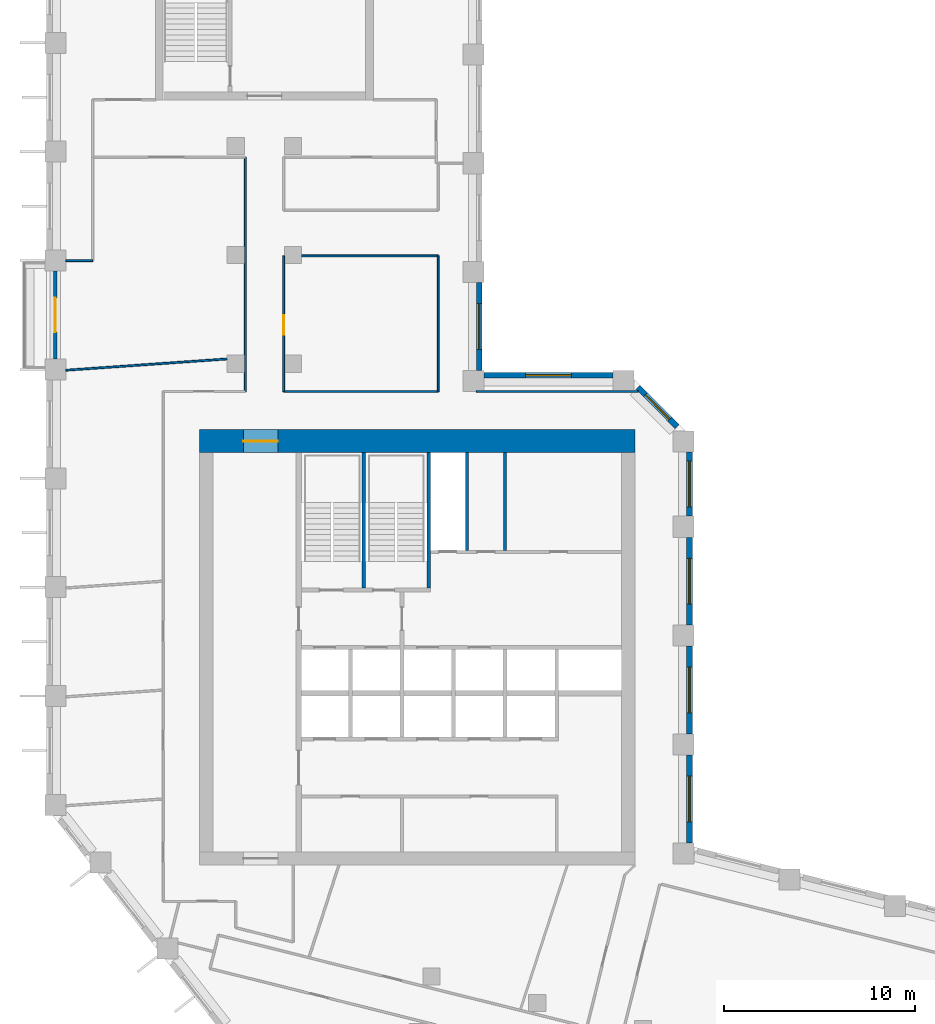
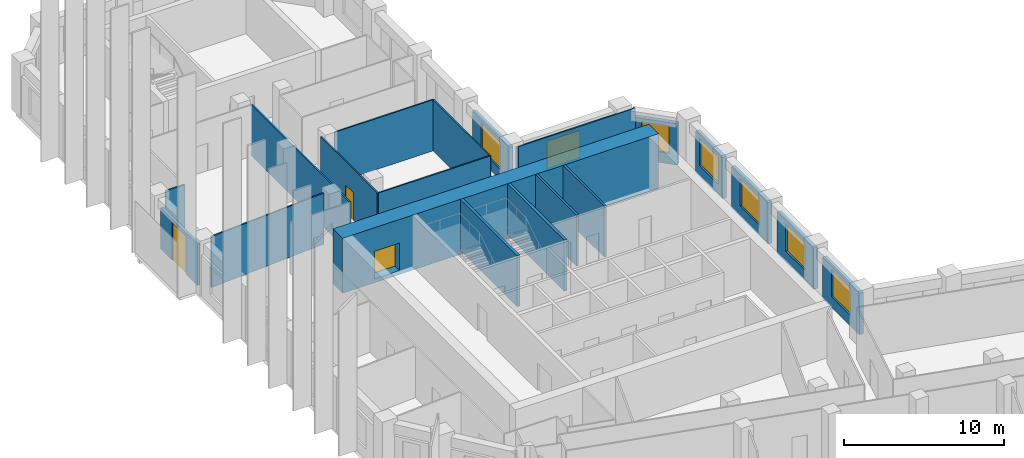
# One storey, part 6 of 10: 21 walls, 7 windows, 3 doors, 10 openings.
"""IFC4 building model written with IfcOpenShell, lengths in metres."""

from ifc_helpers import new_model, si_unit, direction, frame, frame_2d, origin, place, context, subcontext, project, spatial, rectangle, extrude, material, layer, layer_set, type_object, element, fill, save


model = new_model("IFC4")

# Units and contexts
model_context = context("Model", 3, precision=1e-05, world=origin(), true_north=direction((0.0, 1.0)))
body_context = subcontext(model_context, "Body", "Model", "MODEL_VIEW")
ifc_project = project(units=[si_unit("LENGTHUNIT", "METRE"), si_unit("AREAUNIT", "SQUARE_METRE"), si_unit("VOLUMEUNIT", "CUBIC_METRE"), si_unit("PLANEANGLEUNIT", "RADIAN"), si_unit("MASSUNIT", "GRAM", prefix="KILO")], contexts=[model_context])

# Site, building, storey
site_placement = place(None, origin())
site = spatial("IfcSite", under=ifc_project, at=site_placement, CompositionType="ELEMENT")
building_placement = place(site_placement, origin())
building = spatial("IfcBuilding", under=site, at=building_placement, Name="Meshkara Civic Tower", CompositionType="ELEMENT")
storey_placement = place(building_placement, frame((0.0, 0.0, 242.39990234375)))
storey = spatial("IfcBuildingStorey", under=building, at=storey_placement, Name="L55", CompositionType="ELEMENT", Elevation=242.39990234375)

# Walls
ifc_material_1 = material(Name="Blockwork", Category="masonry")
ifc_layer_1 = layer(ifc_material_1, 0.14990234375)
ifc_layer_set_1 = layer_set([ifc_layer_1], Name="Core partition 150")
wall_type_1 = type_object("IfcWallType", Name="Core partition 150", PredefinedType="PARTITIONING", material=ifc_layer_set_1)
for number, where, z_axis, x_axis, name in (
    (1, (22.0, 30.574951171875, 0.0), (0.0, 0.0, 1.0), (0.0, 1.0, 0.0), "L55-C018"),
    (2, (24.0, 30.574951171875, 0.0), (0.0, 0.0, 1.0), (0.0, 1.0, 0.0), "L55-C020"),
):
    element("IfcWall", number, at=place(storey_placement, frame(where, z_axis=z_axis, x_axis=x_axis)), inside=storey, type_object=wall_type_1, Name=name, PredefinedType="PARTITIONING", context=body_context, shape_type="SweptSolid", body=[
        extrude(rectangle(XDim=5.125, YDim=0.14990234375, at=frame_2d((2.5625, 0.0))), origin(), (0.0, 0.0, 1.0), 3.900146484375),
    ])

# Wall, opening, door
ifc_material_2 = material(Name="Concrete C60", Category="concrete")
ifc_layer_2 = layer(ifc_material_2, 1.199951171875)
ifc_layer_set_2 = layer_set([ifc_layer_2], Name="Core ring wall 1200 C60")
wall_type_2 = type_object("IfcWallType", Name="Core ring wall 1200 C60", PredefinedType="SHEAR", material=ifc_layer_set_2)
wall_1_placement = place(storey_placement, frame((8.0, 36.300048828125, -0.2998046875), z_axis=(0.0, 0.0, 1.0), x_axis=(1.0, 0.0, 0.0)))
wall_1 = element("IfcWall", 3, at=wall_1_placement, inside=storey, type_object=wall_type_2, Name="L55-C002", PredefinedType="SHEAR", context=body_context, shape_type="SweptSolid", body=[
    extrude(rectangle(XDim=22.800048828125, YDim=1.199951171875, at=frame_2d((11.39990234375, 0.0))), origin(), (0.0, 0.0, 1.0), 4.199951171875),
])
opening_1_placement = place(wall_1_placement, frame((2.300048828125, 0.0, 0.300048828125)))
opening_1 = element("IfcOpeningElement", 4, at=opening_1_placement, cuts=wall_1, Name="Opening L55-K020", PredefinedType="OPENING", context=body_context, shape_type="SweptSolid", body=[
    extrude(rectangle(XDim=1.800048828125, YDim=2.10009765625, at=frame_2d((0.89990234375, 1.050048828125))), frame((0.0, 0.60986328125, 0.0), z_axis=(0.0, -1.0, 0.0), x_axis=(1.0, 0.0, 0.0)), (0.0, 0.0, 1.0), 1.219970703125),
])
ifc_material_3 = material(Name="Fire-rated door leaf in steel frame", Category="steel")
door_type_1 = type_object("IfcDoorType", Name="Core double door 1800 EI 60", OperationType="DOUBLE_DOOR_SINGLE_SWING", PredefinedType="DOOR", material=ifc_material_3)
door_1_placement = place(opening_1_placement, origin())
door_1 = element("IfcDoor", 5, at=door_1_placement, inside=storey, type_object=door_type_1, Name="L55-K020", OperationType="DOUBLE_DOOR_SINGLE_SWING", OverallHeight=2.10009765625, OverallWidth=1.800048828125, PredefinedType="DOOR", context=body_context, shape_type="SweptSolid", body=[
    extrude(rectangle(XDim=1.800048828125, YDim=2.10009765625, at=frame_2d((0.89990234375, 1.050048828125))), frame((0.0, 0.02490234375, 0.0), z_axis=(0.0, -1.0, 0.0), x_axis=(1.0, 0.0, 0.0)), (0.0, 0.0, 1.0), 0.050048828125),
])
fill(opening_1, door_1)

# Wall
ifc_material_4 = material(Name="Corridor wall 100")
ifc_layer_3 = layer(ifc_material_4, 0.10009765625)
ifc_layer_set_3 = layer_set([ifc_layer_3], Name="Corridor wall 100")
wall_type_3 = type_object("IfcWallType", Name="Corridor wall 100", PredefinedType="PARTITIONING", material=ifc_layer_set_3)
wall_2_placement = place(storey_placement, frame((10.39990234375, 51.169921875, 0.0), z_axis=(0.0, 0.0, 1.0), x_axis=(0.0, -1.0, 0.0)))
element("IfcWall", 6, at=wall_2_placement, inside=storey, type_object=wall_type_3, Name="L55-W012", PredefinedType="PARTITIONING", context=body_context, shape_type="SweptSolid", body=[
    extrude(rectangle(XDim=12.27001953125, YDim=0.10009765625, at=frame_2d((6.135009765625, 0.0))), origin(), (0.0, 0.0, 1.0), 3.900146484375),
])

# Wall, opening, door
wall_3_placement = place(storey_placement, frame((12.39990234375, 38.89990234375, 0.0), z_axis=(0.0, 0.0, 1.0), x_axis=(0.0, 1.0, 0.0)))
wall_3 = element("IfcWall", 7, at=wall_3_placement, inside=storey, type_object=wall_type_3, Name="L55-W013", PredefinedType="PARTITIONING", context=body_context, shape_type="SweptSolid", body=[
    extrude(rectangle(XDim=7.09619140625, YDim=0.10009765625, at=frame_2d((3.548095703125, 0.0))), origin(), (0.0, 0.0, 1.0), 3.900146484375),
])
opening_2_placement = place(wall_3_placement, frame((2.97998046875, 0.0, 0.0)))
opening_2 = element("IfcOpeningElement", 8, at=opening_2_placement, cuts=wall_3, Name="Opening L55-D018", PredefinedType="OPENING", context=body_context, shape_type="SweptSolid", body=[
    extrude(rectangle(XDim=1.0, YDim=2.10009765625, at=frame_2d((0.5, 1.050048828125))), frame((0.0, 0.06005859375, 0.0), z_axis=(0.0, -1.0, 0.0), x_axis=(1.0, 0.0, 0.0)), (0.0, 0.0, 1.0), 0.1201171875),
])
ifc_material_5 = material(Name="Door 1000 x 2100")
door_type_2 = type_object("IfcDoorType", Name="Door 1000 x 2100", OperationType="SINGLE_SWING_LEFT", PredefinedType="DOOR", material=ifc_material_5)
door_2_placement = place(opening_2_placement, origin())
door_2 = element("IfcDoor", 9, at=door_2_placement, inside=storey, type_object=door_type_2, Name="L55-D018", OperationType="SINGLE_SWING_RIGHT", OverallHeight=2.10009765625, OverallWidth=1.0, PredefinedType="DOOR", context=body_context, shape_type="SweptSolid", body=[
    extrude(rectangle(XDim=1.0, YDim=2.10009765625, at=frame_2d((0.5, 1.050048828125))), frame((0.0, 0.02490234375, 0.0), z_axis=(0.0, -1.0, 0.0), x_axis=(1.0, 0.0, 0.0)), (0.0, 0.0, 1.0), 0.050048828125),
])
fill(opening_2, door_2)

# Walls
wall_4_placement = place(storey_placement, frame((13.35009765625, 46.0, 0.0), z_axis=(0.0, 0.0, 1.0), x_axis=(1.0, 0.0, 0.0)))
element("IfcWall", 10, at=wall_4_placement, inside=storey, type_object=wall_type_3, Name="L55-W017", PredefinedType="PARTITIONING", context=body_context, shape_type="SweptSolid", body=[
    extrude(rectangle(XDim=7.14990234375, YDim=0.10009765625, at=frame_2d((3.574951171875, 0.0))), origin(), (0.0, 0.0, 1.0), 3.900146484375),
])
wall_5_placement = place(storey_placement, frame((20.5, 38.89990234375, 0.0), z_axis=(0.0, 0.0, 1.0), x_axis=(-1.0, 0.0, 0.0)))
element("IfcWall", 11, at=wall_5_placement, inside=storey, type_object=wall_type_3, Name="L55-W020", PredefinedType="PARTITIONING", context=body_context, shape_type="SweptSolid", body=[
    extrude(rectangle(XDim=8.10009765625, YDim=0.10009765625, at=frame_2d((4.050048828125, 0.0))), origin(), (0.0, 0.0, 1.0), 3.900146484375),
])
wall_6_placement = place(storey_placement, frame((20.5, 46.0, 0.0), z_axis=(0.0, 0.0, 1.0), x_axis=(0.0, -1.0, 0.0)))
element("IfcWall", 12, at=wall_6_placement, inside=storey, type_object=wall_type_3, Name="L55-W021", PredefinedType="PARTITIONING", context=body_context, shape_type="SweptSolid", body=[
    extrude(rectangle(XDim=7.10009765625, YDim=0.10009765625, at=frame_2d((3.550048828125, 0.0))), origin(), (0.0, 0.0, 1.0), 3.900146484375),
])
wall_7_placement = place(storey_placement, frame((30.9560546875, 38.89990234375, 0.0), z_axis=(0.0, 0.0, 1.0), x_axis=(-1.0, 0.0, 0.0)))
element("IfcWall", 13, at=wall_7_placement, inside=storey, type_object=wall_type_3, Name="L55-W029", PredefinedType="PARTITIONING", context=body_context, shape_type="SweptSolid", body=[
    extrude(rectangle(XDim=8.4560546875, YDim=0.10009765625, at=frame_2d((4.22802734375, 0.0))), origin(), (0.0, 0.0, 1.0), 3.900146484375),
])

# Wall, opening, window
ifc_material_6 = material(Name="Insulated infill panel with bronze anodised aluminium cladding", Category="aluminium")
ifc_layer_4 = layer(ifc_material_6, 0.300048828125)
ifc_layer_set_4 = layer_set([ifc_layer_4], Name="EXTERNAL INFILL WALL 300")
wall_type_4 = type_object("IfcWallType", Name="EXTERNAL INFILL WALL 300", PredefinedType="SOLIDWALL", material=ifc_layer_set_4)
wall_8_placement = place(storey_placement, frame((33.64990234375, 15.26904296875, 0.0), z_axis=(0.0, 0.0, 1.0), x_axis=(0.0, 1.0, 0.0)))
wall_8 = element("IfcWall", 14, at=wall_8_placement, inside=storey, type_object=wall_type_4, Name="External wall", PredefinedType="SOLIDWALL", context=body_context, shape_type="SweptSolid", body=[
    extrude(rectangle(XDim=4.599853515625, YDim=0.300048828125, at=frame_2d((2.2998046875, 0.0))), origin(), (0.0, 0.0, 1.0), 3.150146484375),
])
opening_3_placement = place(wall_8_placement, frame((1.10009765625, 0.0, 0.800048828125)))
opening_3 = element("IfcOpeningElement", 15, at=opening_3_placement, cuts=wall_8, Name="Opening W7", PredefinedType="OPENING", context=body_context, shape_type="SweptSolid", body=[
    extrude(rectangle(XDim=2.39990234375, YDim=2.10009765625, at=frame_2d((1.199951171875, 1.050048828125))), frame((0.0, 0.159912109375, 0.0), z_axis=(0.0, -1.0, 0.0), x_axis=(1.0, 0.0, 0.0)), (0.0, 0.0, 1.0), 0.320068359375),
])
ifc_material_7 = material(Name="Tinted double glazing", Category="glass")
window_type_1 = type_object("IfcWindowType", Name="WINDOW 2400x2100", PartitioningType="DOUBLE_PANEL_VERTICAL", PredefinedType="WINDOW", material=ifc_material_7)
window_1_placement = place(opening_3_placement, origin())
window_1 = element("IfcWindow", 16, at=window_1_placement, inside=storey, type_object=window_type_1, Name="Window", OverallHeight=2.10009765625, OverallWidth=2.39990234375, PartitioningType="DOUBLE_PANEL_VERTICAL", PredefinedType="WINDOW", context=body_context, shape_type="SweptSolid", body=[
    extrude(rectangle(XDim=2.39990234375, YDim=2.10009765625, at=frame_2d((1.199951171875, 1.050048828125))), frame((0.0, 0.030029296875, 0.0), z_axis=(0.0, -1.0, 0.0), x_axis=(1.0, 0.0, 0.0)), (0.0, 0.0, 1.0), 0.06005859375),
])
fill(opening_3, window_1)

wall_9_placement = place(storey_placement, frame((33.64990234375, 20.968994140625, 0.0), z_axis=(0.0, 0.0, 1.0), x_axis=(0.0, 1.0, 0.0)))
wall_9 = element("IfcWall", 17, at=wall_9_placement, inside=storey, type_object=wall_type_4, Name="External wall", PredefinedType="SOLIDWALL", context=body_context, shape_type="SweptSolid", body=[
    extrude(rectangle(XDim=4.60009765625, YDim=0.300048828125, at=frame_2d((2.300048828125, 0.0))), origin(), (0.0, 0.0, 1.0), 3.150146484375),
])
opening_4_placement = place(wall_9_placement, frame((1.10009765625, 0.0, 0.800048828125)))
opening_4 = element("IfcOpeningElement", 18, at=opening_4_placement, cuts=wall_9, Name="Opening W7", PredefinedType="OPENING", context=body_context, shape_type="SweptSolid", body=[
    extrude(rectangle(XDim=2.39990234375, YDim=2.10009765625, at=frame_2d((1.199951171875, 1.050048828125))), frame((0.0, 0.159912109375, 0.0), z_axis=(0.0, -1.0, 0.0), x_axis=(1.0, 0.0, 0.0)), (0.0, 0.0, 1.0), 0.320068359375),
])
window_2_placement = place(opening_4_placement, origin())
window_2 = element("IfcWindow", 19, at=window_2_placement, inside=storey, type_object=window_type_1, Name="Window", OverallHeight=2.10009765625, OverallWidth=2.39990234375, PartitioningType="DOUBLE_PANEL_VERTICAL", PredefinedType="WINDOW", context=body_context, shape_type="SweptSolid", body=[
    extrude(rectangle(XDim=2.39990234375, YDim=2.10009765625, at=frame_2d((1.199951171875, 1.050048828125))), frame((0.0, 0.030029296875, 0.0), z_axis=(0.0, -1.0, 0.0), x_axis=(1.0, 0.0, 0.0)), (0.0, 0.0, 1.0), 0.06005859375),
])
fill(opening_4, window_2)

wall_10_placement = place(storey_placement, frame((33.64990234375, 26.6689453125, 0.0), z_axis=(0.0, 0.0, 1.0), x_axis=(0.0, 1.0, 0.0)))
wall_10 = element("IfcWall", 20, at=wall_10_placement, inside=storey, type_object=wall_type_4, Name="External wall", PredefinedType="SOLIDWALL", context=body_context, shape_type="SweptSolid", body=[
    extrude(rectangle(XDim=4.60009765625, YDim=0.300048828125, at=frame_2d((2.300048828125, 0.0))), origin(), (0.0, 0.0, 1.0), 3.150146484375),
])
opening_5_placement = place(wall_10_placement, frame((1.10009765625, 0.0, 0.800048828125)))
opening_5 = element("IfcOpeningElement", 21, at=opening_5_placement, cuts=wall_10, Name="Opening W7", PredefinedType="OPENING", context=body_context, shape_type="SweptSolid", body=[
    extrude(rectangle(XDim=2.39990234375, YDim=2.10009765625, at=frame_2d((1.199951171875, 1.050048828125))), frame((0.0, 0.159912109375, 0.0), z_axis=(0.0, -1.0, 0.0), x_axis=(1.0, 0.0, 0.0)), (0.0, 0.0, 1.0), 0.320068359375),
])
window_3_placement = place(opening_5_placement, origin())
window_3 = element("IfcWindow", 22, at=window_3_placement, inside=storey, type_object=window_type_1, Name="Window", OverallHeight=2.10009765625, OverallWidth=2.39990234375, PartitioningType="DOUBLE_PANEL_VERTICAL", PredefinedType="WINDOW", context=body_context, shape_type="SweptSolid", body=[
    extrude(rectangle(XDim=2.39990234375, YDim=2.10009765625, at=frame_2d((1.199951171875, 1.050048828125))), frame((0.0, 0.030029296875, 0.0), z_axis=(0.0, -1.0, 0.0), x_axis=(1.0, 0.0, 0.0)), (0.0, 0.0, 1.0), 0.06005859375),
])
fill(opening_5, window_3)

wall_11_placement = place(storey_placement, frame((33.64990234375, 32.368896484375, 0.0), z_axis=(0.0, 0.0, 1.0), x_axis=(0.0, 1.0, 0.0)))
wall_11 = element("IfcWall", 23, at=wall_11_placement, inside=storey, type_object=wall_type_4, Name="External wall", PredefinedType="SOLIDWALL", context=body_context, shape_type="SweptSolid", body=[
    extrude(rectangle(XDim=3.375, YDim=0.300048828125, at=frame_2d((1.6875, 0.0))), origin(), (0.0, 0.0, 1.0), 3.150146484375),
])
opening_6_placement = place(wall_11_placement, frame((0.488037109375, 0.0, 0.800048828125)))
opening_6 = element("IfcOpeningElement", 24, at=opening_6_placement, cuts=wall_11, Name="Opening W7", PredefinedType="OPENING", context=body_context, shape_type="SweptSolid", body=[
    extrude(rectangle(XDim=2.39990234375, YDim=2.10009765625, at=frame_2d((1.199951171875, 1.050048828125))), frame((0.0, 0.159912109375, 0.0), z_axis=(0.0, -1.0, 0.0), x_axis=(1.0, 0.0, 0.0)), (0.0, 0.0, 1.0), 0.320068359375),
])
window_4_placement = place(opening_6_placement, origin())
window_4 = element("IfcWindow", 25, at=window_4_placement, inside=storey, type_object=window_type_1, Name="Window", OverallHeight=2.10009765625, OverallWidth=2.39990234375, PartitioningType="DOUBLE_PANEL_VERTICAL", PredefinedType="WINDOW", context=body_context, shape_type="SweptSolid", body=[
    extrude(rectangle(XDim=2.39990234375, YDim=2.10009765625, at=frame_2d((1.199951171875, 1.050048828125))), frame((0.0, 0.030029296875, 0.0), z_axis=(0.0, -1.0, 0.0), x_axis=(1.0, 0.0, 0.0)), (0.0, 0.0, 1.0), 0.06005859375),
])
fill(opening_6, window_4)

wall_12_placement = place(storey_placement, frame((33.011962890625, 37.055908203125, 0.0), z_axis=(0.0, 0.0, 1.0), x_axis=(-0.707064797706, 0.707148762175, 0.0)))
wall_12 = element("IfcWall", 26, at=wall_12_placement, inside=storey, type_object=wall_type_4, Name="External wall", PredefinedType="SOLIDWALL", context=body_context, shape_type="SweptSolid", body=[
    extrude(rectangle(XDim=2.90771484375, YDim=0.300048828125, at=frame_2d((1.453857421875, 0.0))), origin(), (0.0, 0.0, 1.0), 3.150146484375),
])
opening_7_placement = place(wall_12_placement, frame((0.553955078125, 0.0, 0.800048828125)))
opening_7 = element("IfcOpeningElement", 27, at=opening_7_placement, cuts=wall_12, Name="Opening W9", PredefinedType="OPENING", context=body_context, shape_type="SweptSolid", body=[
    extrude(rectangle(XDim=1.800048828125, YDim=2.10009765625, at=frame_2d((0.89990234375, 1.050048828125))), frame((0.0, 0.159912109375, 0.0), z_axis=(0.0, -1.0, 0.0), x_axis=(1.0, 0.0, 0.0)), (0.0, 0.0, 1.0), 0.320068359375),
])
ifc_material_8 = material(Name="Tinted double glazing", Category="glass")
window_type_2 = type_object("IfcWindowType", Name="WINDOW 1800x2100", PartitioningType="DOUBLE_PANEL_VERTICAL", PredefinedType="WINDOW", material=ifc_material_8)
window_5_placement = place(opening_7_placement, origin())
window_5 = element("IfcWindow", 28, at=window_5_placement, inside=storey, type_object=window_type_2, Name="Window", OverallHeight=2.10009765625, OverallWidth=1.800048828125, PartitioningType="DOUBLE_PANEL_VERTICAL", PredefinedType="WINDOW", context=body_context, shape_type="SweptSolid", body=[
    extrude(rectangle(XDim=1.800048828125, YDim=2.10009765625, at=frame_2d((0.89990234375, 1.050048828125))), frame((0.0, 0.030029296875, 0.0), z_axis=(0.0, -1.0, 0.0), x_axis=(1.0, 0.0, 0.0)), (0.0, 0.0, 1.0), 0.06005859375),
])
fill(opening_7, window_5)

wall_13_placement = place(storey_placement, frame((29.64404296875, 39.75, 0.0), z_axis=(0.0, 0.0, 1.0), x_axis=(-1.0, 0.0, 0.0)))
wall_13 = element("IfcWall", 29, at=wall_13_placement, inside=storey, type_object=wall_type_4, Name="External wall", PredefinedType="SOLIDWALL", context=body_context, shape_type="SweptSolid", body=[
    extrude(rectangle(XDim=6.744140625, YDim=0.300048828125, at=frame_2d((3.3720703125, 0.0))), origin(), (0.0, 0.0, 1.0), 3.150146484375),
])
opening_8_placement = place(wall_13_placement, frame((2.172119140625, 0.0, 0.800048828125)))
opening_8 = element("IfcOpeningElement", 30, at=opening_8_placement, cuts=wall_13, Name="Opening W7", PredefinedType="OPENING", context=body_context, shape_type="SweptSolid", body=[
    extrude(rectangle(XDim=2.39990234375, YDim=2.10009765625, at=frame_2d((1.199951171875, 1.050048828125))), frame((0.0, 0.159912109375, 0.0), z_axis=(0.0, -1.0, 0.0), x_axis=(1.0, 0.0, 0.0)), (0.0, 0.0, 1.0), 0.320068359375),
])
window_6_placement = place(opening_8_placement, origin())
window_6 = element("IfcWindow", 31, at=window_6_placement, inside=storey, type_object=window_type_1, Name="Window", OverallHeight=2.10009765625, OverallWidth=2.39990234375, PartitioningType="DOUBLE_PANEL_VERTICAL", PredefinedType="WINDOW", context=body_context, shape_type="SweptSolid", body=[
    extrude(rectangle(XDim=2.39990234375, YDim=2.10009765625, at=frame_2d((1.199951171875, 1.050048828125))), frame((0.0, 0.030029296875, 0.0), z_axis=(0.0, -1.0, 0.0), x_axis=(1.0, 0.0, 0.0)), (0.0, 0.0, 1.0), 0.06005859375),
])
fill(opening_8, window_6)

wall_14_placement = place(storey_placement, frame((22.64990234375, 40.0, 0.0), z_axis=(0.0, 0.0, 1.0), x_axis=(0.0, 1.0, 0.0)))
wall_14 = element("IfcWall", 32, at=wall_14_placement, inside=storey, type_object=wall_type_4, Name="External wall", PredefinedType="SOLIDWALL", context=body_context, shape_type="SweptSolid", body=[
    extrude(rectangle(XDim=4.60009765625, YDim=0.300048828125, at=frame_2d((2.300048828125, 0.0))), origin(), (0.0, 0.0, 1.0), 3.150146484375),
])
opening_9_placement = place(wall_14_placement, frame((1.10009765625, 0.0, 0.800048828125)))
opening_9 = element("IfcOpeningElement", 33, at=opening_9_placement, cuts=wall_14, Name="Opening W7", PredefinedType="OPENING", context=body_context, shape_type="SweptSolid", body=[
    extrude(rectangle(XDim=2.39990234375, YDim=2.10009765625, at=frame_2d((1.199951171875, 1.050048828125))), frame((0.0, 0.159912109375, 0.0), z_axis=(0.0, -1.0, 0.0), x_axis=(1.0, 0.0, 0.0)), (0.0, 0.0, 1.0), 0.320068359375),
])
window_7_placement = place(opening_9_placement, origin())
window_7 = element("IfcWindow", 34, at=window_7_placement, inside=storey, type_object=window_type_1, Name="Window", OverallHeight=2.10009765625, OverallWidth=2.39990234375, PartitioningType="DOUBLE_PANEL_VERTICAL", PredefinedType="WINDOW", context=body_context, shape_type="SweptSolid", body=[
    extrude(rectangle(XDim=2.39990234375, YDim=2.10009765625, at=frame_2d((1.199951171875, 1.050048828125))), frame((0.0, 0.030029296875, 0.0), z_axis=(0.0, -1.0, 0.0), x_axis=(1.0, 0.0, 0.0)), (0.0, 0.0, 1.0), 0.06005859375),
])
fill(opening_9, window_7)

# Wall, opening, door
ifc_material_9 = material(Name="Insulated infill panel with bronze anodised aluminium cladding", Category="aluminium")
ifc_layer_5 = layer(ifc_material_9, 0.199951171875)
ifc_layer_set_5 = layer_set([ifc_layer_5], Name="LOGGIA BACK WALL 200")
wall_type_5 = type_object("IfcWallType", Name="LOGGIA BACK WALL 200", PredefinedType="SOLIDWALL", material=ifc_layer_set_5)
wall_15_placement = place(storey_placement, frame((0.449951171875, 45.205078125, 0.0), z_axis=(0.0, 0.0, 1.0), x_axis=(0.0, -1.0, 0.0)))
wall_15 = element("IfcWall", 35, at=wall_15_placement, inside=storey, type_object=wall_type_5, Name="Loggia wall", PredefinedType="SOLIDWALL", context=body_context, shape_type="SweptSolid", body=[
    extrude(rectangle(XDim=4.60009765625, YDim=0.199951171875, at=frame_2d((2.300048828125, 0.0))), origin(), (0.0, 0.0, 1.0), 3.150146484375),
])
opening_10_placement = place(wall_15_placement, frame((1.39990234375, 0.0, 0.0)))
opening_10 = element("IfcOpeningElement", 36, at=opening_10_placement, cuts=wall_15, Name="Opening L55-L001", PredefinedType="OPENING", context=body_context, shape_type="SweptSolid", body=[
    extrude(rectangle(XDim=1.800048828125, YDim=2.89990234375, at=frame_2d((0.89990234375, 1.449951171875))), frame((0.0, 0.10986328125, 0.0), z_axis=(0.0, -1.0, 0.0), x_axis=(1.0, 0.0, 0.0)), (0.0, 0.0, 1.0), 0.219970703125),
])
ifc_material_10 = material(Name="Tinted double glazing", Category="glass")
door_type_3 = type_object("IfcDoorType", Name="LOGGIA DOOR 1800x2900", OperationType="DOUBLE_DOOR_SINGLE_SWING", PredefinedType="DOOR", material=ifc_material_10)
door_3_placement = place(opening_10_placement, origin())
door_3 = element("IfcDoor", 37, at=door_3_placement, inside=storey, type_object=door_type_3, Name="L55-L001", OperationType="DOUBLE_DOOR_SINGLE_SWING", OverallHeight=2.89990234375, OverallWidth=1.800048828125, PredefinedType="DOOR", context=body_context, shape_type="SweptSolid", body=[
    extrude(rectangle(XDim=1.800048828125, YDim=2.89990234375, at=frame_2d((0.89990234375, 1.449951171875))), frame((0.0, 0.02490234375, 0.0), z_axis=(0.0, -1.0, 0.0), x_axis=(1.0, 0.0, 0.0)), (0.0, 0.0, 1.0), 0.050048828125),
])
fill(opening_10, door_3)

# Walls
ifc_material_11 = material(Name="Partition 100")
ifc_layer_6 = layer(ifc_material_11, 0.10009765625)
ifc_layer_set_6 = layer_set([ifc_layer_6], Name="Partition 100")
wall_type_6 = type_object("IfcWallType", Name="Partition 100", PredefinedType="PARTITIONING", material=ifc_layer_set_6)
wall_16_placement = place(storey_placement, frame((2.39990234375, 45.7548828125, 0.0), z_axis=(0.0, 0.0, 1.0), x_axis=(-1.0, 0.0, 0.0)))
element("IfcWall", 38, at=wall_16_placement, inside=storey, type_object=wall_type_6, Name="L55-W038", PredefinedType="PARTITIONING", context=body_context, shape_type="SweptSolid", body=[
    extrude(rectangle(XDim=1.39990234375, YDim=0.10009765625, at=frame_2d((0.699951171875, 0.0))), origin(), (0.0, 0.0, 1.0), 3.900146484375),
])
wall_17_placement = place(storey_placement, frame((9.449951171875, 40.60400390625, 0.0), z_axis=(0.0, 0.0, 1.0), x_axis=(-0.997562519498, -0.069778361206, 0.0)))
element("IfcWall", 39, at=wall_17_placement, inside=storey, type_object=wall_type_6, Name="L55-W045", PredefinedType="PARTITIONING", context=body_context, shape_type="SweptSolid", body=[
    extrude(rectangle(XDim=8.470703125, YDim=0.10009765625, at=frame_2d((4.2353515625, 0.0))), origin(), (0.0, 0.0, 1.0), 3.900146484375),
])
ifc_material_12 = material(Name="Concrete C40/50", Category="concrete")
ifc_layer_7 = layer(ifc_material_12, 0.199951171875)
ifc_layer_set_7 = layer_set([ifc_layer_7], Name="Stair enclosure wall 200 C40/50")
wall_type_7 = type_object("IfcWallType", Name="Stair enclosure wall 200 C40/50", PredefinedType="SOLIDWALL", material=ifc_layer_set_7)
for number, where, z_axis, x_axis, name in (
    (40, (16.60009765625, 28.60009765625, 0.0), (0.0, 0.0, 1.0), (0.0, 1.0, 0.0), "L55-C013"),
    (41, (20.0, 28.60009765625, 0.0), (0.0, 0.0, 1.0), (0.0, 1.0, 0.0), "L55-C016"),
):
    element("IfcWall", number, at=place(storey_placement, frame(where, z_axis=z_axis, x_axis=x_axis)), inside=storey, type_object=wall_type_7, Name=name, PredefinedType="SOLIDWALL", context=body_context, shape_type="SweptSolid", body=[
        extrude(rectangle(XDim=7.099853515625, YDim=0.199951171875, at=frame_2d((3.5498046875, 0.0))), origin(), (0.0, 0.0, 1.0), 3.900146484375),
    ])

save(model, "model.ifc")
